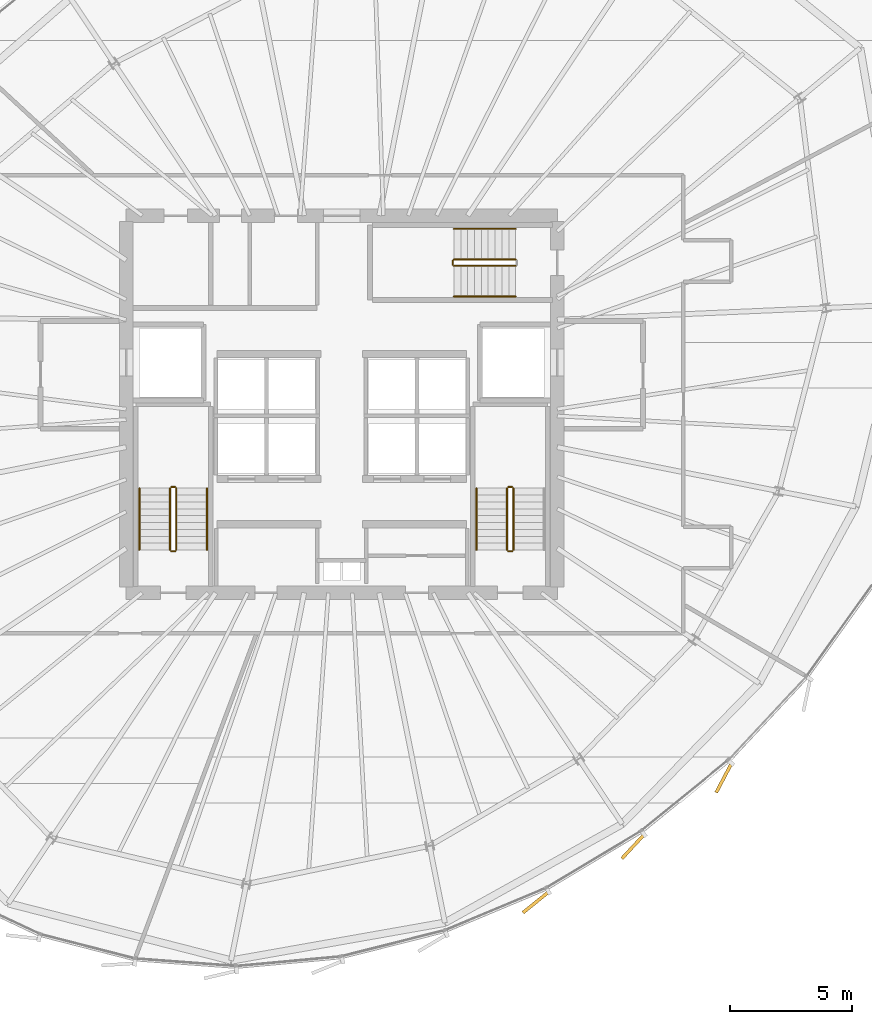
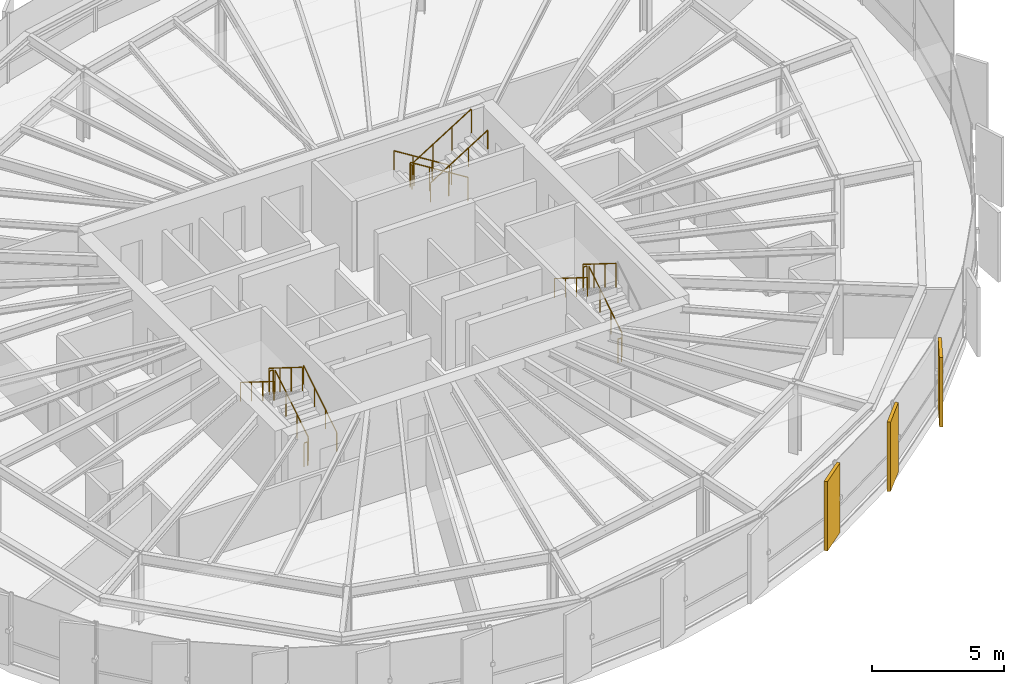
# One storey, part 34 of 36: 16 railings, 3 coverings.
"""IFC4 building model written with IfcOpenShell, lengths in metres."""

import ifcopenshell
import ifcopenshell.guid

model = None  # the IFC model being written
_history = None  # IfcOwnerHistory: only IFC2X3 demands one
_inside = {}  # id of a spatial element -> (the spatial element, [elements in it])
_under = {}  # id of a project, library or spatial element -> (it, [spatial elements below it])
_declared = {}  # id of a project -> (the project, [libraries it declares])
_typed = {}  # id of a type object -> (the type object, [elements of that type])
_made_of = {}  # id of a material, layer set ... -> (it, [elements and type objects made of it])


def new_model(schema):
    """Start an empty IFC model of exactly this schema.

    Asked for "IFC4X3", IfcOpenShell would pick the latest addendum, in which some entities
    have other attributes; the version numbers below select the first issue.
    IFC2X3 requires an IfcOwnerHistory on every rooted entity: one is made here for all.
    """
    global model, _history
    if schema == "IFC4X3":
        model = ifcopenshell.file(schema_version=(4, 3, 0, 0))
    else:
        model = ifcopenshell.file(schema=schema)
    _inside.clear()
    _under.clear()
    _declared.clear()
    _typed.clear()
    _made_of.clear()
    _history = None
    if model.schema == "IFC2X3":
        org = make("IfcOrganization", Name="unknown")
        user = make(
            "IfcPersonAndOrganization",
            ThePerson=make("IfcPerson", FamilyName="unknown"),
            TheOrganization=org,
        )
        app = make(
            "IfcApplication",
            ApplicationDeveloper=org,
            Version="unknown",
            ApplicationFullName="unknown",
            ApplicationIdentifier="unknown",
        )
        _history = make(
            "IfcOwnerHistory",
            OwningUser=user,
            OwningApplication=app,
            ChangeAction="ADDED",
            CreationDate=0,
        )
    return model


def make(cls, **values):
    """One entity of the class cls with the attributes given. An attribute that is None is left unset."""
    return model.create_entity(
        cls, **{name: value for name, value in values.items() if value is not None}
    )


def rooted(cls, **values):
    """An entity with a GlobalId (a new one), such as an element, a storey or a relation."""
    return make(cls, GlobalId=ifcopenshell.guid.new(), OwnerHistory=_history, **values)


def si_unit(unit_type, name, prefix=None):
    """IfcSIUnit, for example si_unit("LENGTHUNIT", "METRE", prefix="MILLI")."""
    return make("IfcSIUnit", UnitType=unit_type, Prefix=prefix, Name=name)


def assignment(units):
    """IfcUnitAssignment: the units of a project."""
    return None if units is None else make("IfcUnitAssignment", Units=units)


def point(xyz):
    """IfcCartesianPoint."""
    return None if xyz is None else make("IfcCartesianPoint", Coordinates=xyz)


def direction(xyz):
    """IfcDirection."""
    return None if xyz is None else make("IfcDirection", DirectionRatios=xyz)


def frame(location, z_axis=None, x_axis=None):
    """IfcAxis2Placement3D, a coordinate frame: its origin and axes. An axis left out is left unset."""
    return make(
        "IfcAxis2Placement3D",
        Location=point(location),
        Axis=direction(z_axis),
        RefDirection=direction(x_axis),
    )


def frame_2d(location, x_axis=None):
    """IfcAxis2Placement2D, a coordinate frame in the plane: its origin and x axis."""
    return make(
        "IfcAxis2Placement2D", Location=point(location), RefDirection=direction(x_axis)
    )


def origin():
    """The frame at (0, 0, 0) with its axes left unset."""
    return frame((0.0, 0.0, 0.0))


def origin_2d():
    """The frame at (0, 0) in the plane with its x axis left unset."""
    return frame_2d((0.0, 0.0))


def place(relative_to, where):
    """IfcLocalPlacement: puts the frame where relative to a parent placement (None: the world)."""
    return make(
        "IfcLocalPlacement", PlacementRelTo=relative_to, RelativePlacement=where
    )


def context(
    kind, dimensions, precision=None, world=None, true_north=None, identifier=None
):
    """IfcGeometricRepresentationContext, for example the 3D "Model" context."""
    return make(
        "IfcGeometricRepresentationContext",
        ContextIdentifier=identifier,
        ContextType=kind,
        CoordinateSpaceDimension=dimensions,
        Precision=precision,
        WorldCoordinateSystem=world,
        TrueNorth=true_north,
    )


def subcontext(parent, identifier, kind, view, scale=None):
    """IfcGeometricRepresentationSubContext, for example "Body" below "Model"."""
    return make(
        "IfcGeometricRepresentationSubContext",
        ContextIdentifier=identifier,
        ContextType=kind,
        ParentContext=parent,
        TargetScale=scale,
        TargetView=view,
    )


def project(units=None, contexts=None):
    """IfcProject with its units and contexts."""
    return rooted(
        "IfcProject",
        Name="project",
        RepresentationContexts=contexts,
        UnitsInContext=assignment(units),
    )


def spatial(cls, under=None, at=None, **own):
    """A site, building, storey or space (cls), placed at a placement, below another one or the project."""
    s = rooted(cls, ObjectPlacement=at, **own)
    if under is not None:
        _under.setdefault(under.id(), (under, []))[1].append(s)
    return s


def profile(cls, at=None, kind="AREA", **sizes):
    """A parametric profile (cls). Its sizes go by their IFC names, for example OverallWidth=200.0."""
    return make(cls, ProfileType=kind, Position=at, **sizes)


def rectangle(**sizes):
    """IfcRectangleProfileDef."""
    return profile("IfcRectangleProfileDef", **sizes)


def circle(**sizes):
    """IfcCircleProfileDef."""
    return profile("IfcCircleProfileDef", **sizes)


def extrude(swept, where, along, depth):
    """IfcExtrudedAreaSolid: the profile swept, set in the frame where, extruded along a direction by depth."""
    return make(
        "IfcExtrudedAreaSolid",
        SweptArea=swept,
        Position=where,
        ExtrudedDirection=direction(along),
        Depth=depth,
    )


def shape(context_of_items, identifier, shape_type, items):
    """IfcShapeRepresentation: the items that make up one representation, for example the "Body"."""
    return make(
        "IfcShapeRepresentation",
        ContextOfItems=context_of_items,
        RepresentationIdentifier=identifier,
        RepresentationType=shape_type,
        Items=items,
    )


def source(mapping_origin, context_of_items, identifier, shape_type, items):
    """IfcRepresentationMap: a shape defined once, which mapped items show again and again."""
    return make(
        "IfcRepresentationMap",
        MappingOrigin=mapping_origin,
        MappedRepresentation=shape(context_of_items, identifier, shape_type, items),
    )


def transform(
    local_origin,
    x_axis=None,
    y_axis=None,
    z_axis=None,
    scale=None,
    scale2=None,
    scale3=None,
    uniform=True,
):
    """IfcCartesianTransformationOperator3D, or its non-uniform kind. x_axis, y_axis, z_axis: its Axis1, 2, 3."""
    if uniform:
        return make(
            "IfcCartesianTransformationOperator3D",
            Axis1=direction(x_axis),
            Axis2=direction(y_axis),
            LocalOrigin=point(local_origin),
            Scale=scale,
            Axis3=direction(z_axis),
        )
    return make(
        "IfcCartesianTransformationOperator3DnonUniform",
        Axis1=direction(x_axis),
        Axis2=direction(y_axis),
        LocalOrigin=point(local_origin),
        Scale=scale,
        Axis3=direction(z_axis),
        Scale2=scale2,
        Scale3=scale3,
    )


def mapped(mapping_source, mapping_target):
    """IfcMappedItem: shows the shape of a source again, moved by a transform."""
    return make(
        "IfcMappedItem", MappingSource=mapping_source, MappingTarget=mapping_target
    )


def material(Name=None, Category=None):
    """IfcMaterial."""
    return make("IfcMaterial", Name=Name, Category=Category)


def layer(
    of_material, thickness, ventilated=None, Name=None, Category=None, Priority=None
):
    """IfcMaterialLayer: one layer of a wall or slab, of a material (None: an air gap)."""
    return make(
        "IfcMaterialLayer",
        Material=of_material,
        LayerThickness=thickness,
        IsVentilated=ventilated,
        Name=Name,
        Category=Category,
        Priority=Priority,
    )


def layer_set(layers, Name=None):
    """IfcMaterialLayerSet."""
    return make("IfcMaterialLayerSet", MaterialLayers=layers, LayerSetName=Name)


def made_of(thing, what):
    """Note that an element or type object is made of a material, layer set ...; save() writes the relation."""
    if what is not None:
        _made_of.setdefault(what.id(), (what, []))[1].append(thing)
    return thing


def type_object(cls, material=None, **own):
    """A type object (cls), such as IfcWallType, which elements share."""
    return made_of(rooted(cls, **own), material)


def element(
    cls,
    number,
    at=None,
    inside=None,
    cuts=None,
    type_object=None,
    material=None,
    context=None,
    identifier="Body",
    shape_type=None,
    held_by="IfcProductDefinitionShape",
    body=None,
    shapes=None,
    **own,
):
    """One element of the class cls, such as IfcWall. Its Tag is "e" and its number.

    at: its placement. inside: the storey or other place that contains it. cuts: it is an
    opening in that element (IfcRelVoidsElement). A single representation is given by context,
    identifier, shape_type and body (its items); several are given by shapes. held_by: the class
    of the entity that holds the representations. save() writes the other relations.
    """
    e = rooted(cls, Tag="e%d" % number, ObjectPlacement=at, **own)
    if body is not None:
        shapes = [shape(context, identifier, shape_type, body)]
    if shapes is not None:
        e.Representation = make(held_by, Representations=shapes)
    if inside is not None:
        _inside.setdefault(inside.id(), (inside, []))[1].append(e)
    if cuts is not None:
        rooted(
            "IfcRelVoidsElement", RelatingBuildingElement=cuts, RelatedOpeningElement=e
        )
    if type_object is not None:
        _typed.setdefault(type_object.id(), (type_object, []))[1].append(e)
    return made_of(e, material)


def aggregate(whole, parts):
    """IfcRelAggregates: a whole, such as a stair, and the parts it consists of."""
    return rooted("IfcRelAggregates", RelatingObject=whole, RelatedObjects=parts)


def save(model, path):
    """Write the relations noted so far, then the file.

    IfcRelAggregates (storeys below a building ...), IfcRelContainedInSpatialStructure (elements
    in a storey), IfcRelDefinesByType, IfcRelAssociatesMaterial and IfcRelDeclares: one each for
    every whole, place, type object, material and project.
    """
    for whole, parts in _under.values():
        aggregate(whole, parts)
    for where, things in _inside.values():
        rooted(
            "IfcRelContainedInSpatialStructure",
            RelatedElements=things,
            RelatingStructure=where,
        )
    for kind, things in _typed.values():
        rooted("IfcRelDefinesByType", RelatedObjects=things, RelatingType=kind)
    for what, things in _made_of.values():
        rooted("IfcRelAssociatesMaterial", RelatedObjects=things, RelatingMaterial=what)
    for by, libraries in _declared.values():
        rooted("IfcRelDeclares", RelatingContext=by, RelatedDefinitions=libraries)
    model.write(path)


model = new_model("IFC4")

# Units and contexts
model_context = context("Model", 3, precision=1e-05, world=origin(), true_north=direction((0.0, 1.0)))
body_context = subcontext(model_context, "Body", "Model", "MODEL_VIEW")
ifc_project = project(units=[si_unit("LENGTHUNIT", "METRE"), si_unit("AREAUNIT", "SQUARE_METRE"), si_unit("VOLUMEUNIT", "CUBIC_METRE"), si_unit("PLANEANGLEUNIT", "RADIAN"), si_unit("MASSUNIT", "GRAM", prefix="KILO"), si_unit("THERMODYNAMICTEMPERATUREUNIT", "KELVIN")], contexts=[model_context])

# Site, building, storey
site_placement = place(None, origin())
site = spatial("IfcSite", under=ifc_project, at=site_placement, CompositionType="ELEMENT")
building_placement = place(site_placement, origin())
building = spatial("IfcBuilding", under=site, at=building_placement, Name="Kethvar Cultural Tower", CompositionType="ELEMENT")
storey_placement = place(building_placement, frame((0.0, 0.0, 176.39990234375)))
storey = spatial("IfcBuildingStorey", under=building, at=storey_placement, Name="L45", CompositionType="ELEMENT", Elevation=176.39990234375)

# Railings
ifc_material_1 = material(Name="Steel S355J2", Category="steel")
railing_type_1 = type_object("IfcRailingType", Name="RL-STAIR-GUARD", PredefinedType="BALUSTRADE", material=ifc_material_1)
railing_1_placement = place(storey_placement, frame((40.050048828125, 21.85009765625, 0.175048828125)))
element("IfcRailing", 1, at=railing_1_placement, inside=storey, type_object=railing_type_1, Name="L45 ST-01 stair guard 1", PredefinedType="BALUSTRADE", context=body_context, shape_type="SweptSolid", body=[
    extrude(circle(Radius=0.02392578125, at=origin_2d()), frame((0.0, 0.0, 1.09619140625), z_axis=(0.0, 0.848007534815, 0.529984170421), x_axis=(-1.0, 0.0, 0.0)), (0.0, 0.0, 1.0), 2.9716796875),
    extrude(circle(Radius=0.02099609375, at=origin_2d()), origin(), (0.0, 0.0, 1.0), 1.072021484375),
    extrude(circle(Radius=0.02099609375, at=origin_2d()), frame((0.0, 0.840087890625, 0.52490234375)), (0.0, 0.0, 1.0), 1.072021484375),
    extrude(circle(Radius=0.02099609375, at=origin_2d()), frame((0.0, 1.679931640625, 1.050048828125)), (0.0, 0.0, 1.0), 1.072021484375),
    extrude(circle(Radius=0.02099609375, at=origin_2d()), frame((0.0, 2.52001953125, 1.574951171875)), (0.0, 0.0, 1.0), 1.072021484375),
])
railing_2_placement = place(storey_placement, frame((40.0, 24.419921875, 1.75)))
element("IfcRailing", 2, at=railing_2_placement, inside=storey, type_object=railing_type_1, Name="L45 ST-01 stair guard 2", PredefinedType="BALUSTRADE", context=body_context, shape_type="SweptSolid", body=[
    extrude(circle(Radius=0.02392578125, at=origin_2d()), frame((0.0, 0.0, 1.09619140625), z_axis=(-1.0, 0.0, 0.0), x_axis=(0.0, -1.0, 0.0)), (0.0, 0.0, 1.0), 0.159912109375),
    extrude(circle(Radius=0.02099609375, at=origin_2d()), origin(), (0.0, 0.0, 1.0), 1.072021484375),
    extrude(circle(Radius=0.02099609375, at=origin_2d()), frame((-0.159912109375, 0.0, 0.0)), (0.0, 0.0, 1.0), 1.072021484375),
])
railing_3_placement = place(storey_placement, frame((39.7900390625, 24.3701171875, 1.925048828125)))
element("IfcRailing", 3, at=railing_3_placement, inside=storey, type_object=railing_type_1, Name="L45 ST-01 stair guard 3", PredefinedType="BALUSTRADE", context=body_context, shape_type="SweptSolid", body=[
    extrude(circle(Radius=0.02392578125, at=origin_2d()), frame((0.0, 0.0, 1.09619140625), z_axis=(0.0, -0.848007534815, 0.529984170421), x_axis=(1.0, 0.0, 0.0)), (0.0, 0.0, 1.0), 2.9716796875),
    extrude(circle(Radius=0.02099609375, at=origin_2d()), origin(), (0.0, 0.0, 1.0), 1.072021484375),
    extrude(circle(Radius=0.02099609375, at=origin_2d()), frame((0.0, -0.840087890625, 0.52490234375)), (0.0, 0.0, 1.0), 1.072021484375),
    extrude(circle(Radius=0.02099609375, at=origin_2d()), frame((0.0, -1.679931640625, 1.050048828125)), (0.0, 0.0, 1.0), 1.072021484375),
    extrude(circle(Radius=0.02099609375, at=origin_2d()), frame((0.0, -2.52001953125, 1.574951171875)), (0.0, 0.0, 1.0), 1.072021484375),
])
railing_4_placement = place(storey_placement, frame((40.0, 21.800048828125, 0.0)))
element("IfcRailing", 4, at=railing_4_placement, inside=storey, type_object=railing_type_1, Name="L45 ST-01 stair guard 4", PredefinedType="BALUSTRADE", context=body_context, shape_type="SweptSolid", body=[
    extrude(circle(Radius=0.02392578125, at=origin_2d()), frame((0.0, 0.0, 1.09619140625), z_axis=(-1.0, 0.0, 0.0), x_axis=(0.0, -1.0, 0.0)), (0.0, 0.0, 1.0), 0.159912109375),
    extrude(circle(Radius=0.02099609375, at=origin_2d()), origin(), (0.0, 0.0, 1.0), 1.072021484375),
    extrude(circle(Radius=0.02099609375, at=origin_2d()), frame((-0.159912109375, 0.0, 0.0)), (0.0, 0.0, 1.0), 1.072021484375),
])
railing_5_placement = place(storey_placement, frame((53.81005859375, 21.85009765625, 0.175048828125)))
element("IfcRailing", 5, at=railing_5_placement, inside=storey, type_object=railing_type_1, Name="L45 ST-02 stair guard 1", PredefinedType="BALUSTRADE", context=body_context, shape_type="SweptSolid", body=[
    extrude(circle(Radius=0.02392578125, at=origin_2d()), frame((0.0, 0.0, 1.09619140625), z_axis=(0.0, 0.848007534815, 0.529984170421), x_axis=(-1.0, 0.0, 0.0)), (0.0, 0.0, 1.0), 2.9716796875),
    extrude(circle(Radius=0.02099609375, at=origin_2d()), origin(), (0.0, 0.0, 1.0), 1.072021484375),
    extrude(circle(Radius=0.02099609375, at=origin_2d()), frame((0.0, 0.840087890625, 0.52490234375)), (0.0, 0.0, 1.0), 1.072021484375),
    extrude(circle(Radius=0.02099609375, at=origin_2d()), frame((0.0, 1.679931640625, 1.050048828125)), (0.0, 0.0, 1.0), 1.072021484375),
    extrude(circle(Radius=0.02099609375, at=origin_2d()), frame((0.0, 2.52001953125, 1.574951171875)), (0.0, 0.0, 1.0), 1.072021484375),
])
railing_6_placement = place(storey_placement, frame((53.760009765625, 24.419921875, 1.75)))
element("IfcRailing", 6, at=railing_6_placement, inside=storey, type_object=railing_type_1, Name="L45 ST-02 stair guard 2", PredefinedType="BALUSTRADE", context=body_context, shape_type="SweptSolid", body=[
    extrude(circle(Radius=0.02392578125, at=origin_2d()), frame((0.0, 0.0, 1.09619140625), z_axis=(-1.0, 0.0, 0.0), x_axis=(0.0, -1.0, 0.0)), (0.0, 0.0, 1.0), 0.159912109375),
    extrude(circle(Radius=0.02099609375, at=origin_2d()), origin(), (0.0, 0.0, 1.0), 1.072021484375),
    extrude(circle(Radius=0.02099609375, at=origin_2d()), frame((-0.159912109375, 0.0, 0.0)), (0.0, 0.0, 1.0), 1.072021484375),
])
railing_7_placement = place(storey_placement, frame((53.550048828125, 24.3701171875, 1.925048828125)))
element("IfcRailing", 7, at=railing_7_placement, inside=storey, type_object=railing_type_1, Name="L45 ST-02 stair guard 3", PredefinedType="BALUSTRADE", context=body_context, shape_type="SweptSolid", body=[
    extrude(circle(Radius=0.02392578125, at=origin_2d()), frame((0.0, 0.0, 1.09619140625), z_axis=(0.0, -0.848007534815, 0.529984170421), x_axis=(1.0, 0.0, 0.0)), (0.0, 0.0, 1.0), 2.9716796875),
    extrude(circle(Radius=0.02099609375, at=origin_2d()), origin(), (0.0, 0.0, 1.0), 1.072021484375),
    extrude(circle(Radius=0.02099609375, at=origin_2d()), frame((0.0, -0.840087890625, 0.52490234375)), (0.0, 0.0, 1.0), 1.072021484375),
    extrude(circle(Radius=0.02099609375, at=origin_2d()), frame((0.0, -1.679931640625, 1.050048828125)), (0.0, 0.0, 1.0), 1.072021484375),
    extrude(circle(Radius=0.02099609375, at=origin_2d()), frame((0.0, -2.52001953125, 1.574951171875)), (0.0, 0.0, 1.0), 1.072021484375),
])
railing_8_placement = place(storey_placement, frame((53.760009765625, 21.800048828125, 0.0)))
element("IfcRailing", 8, at=railing_8_placement, inside=storey, type_object=railing_type_1, Name="L45 ST-02 stair guard 4", PredefinedType="BALUSTRADE", context=body_context, shape_type="SweptSolid", body=[
    extrude(circle(Radius=0.02392578125, at=origin_2d()), frame((0.0, 0.0, 1.09619140625), z_axis=(-1.0, 0.0, 0.0), x_axis=(0.0, -1.0, 0.0)), (0.0, 0.0, 1.0), 0.159912109375),
    extrude(circle(Radius=0.02099609375, at=origin_2d()), origin(), (0.0, 0.0, 1.0), 1.072021484375),
    extrude(circle(Radius=0.02099609375, at=origin_2d()), frame((-0.159912109375, 0.0, 0.0)), (0.0, 0.0, 1.0), 1.072021484375),
])
railing_9_placement = place(storey_placement, frame((53.89990234375, 33.7099609375, 0.175048828125)))
element("IfcRailing", 9, at=railing_9_placement, inside=storey, type_object=railing_type_1, Name="L45 ST-03 stair guard 1", PredefinedType="BALUSTRADE", context=body_context, shape_type="SweptSolid", body=[
    extrude(circle(Radius=0.02392578125, at=origin_2d()), frame((0.0, 0.0, 1.09619140625), z_axis=(-0.848007534815, 0.0, 0.529984170421), x_axis=(0.0, -1.0, 0.0)), (0.0, 0.0, 1.0), 2.9716796875),
    extrude(circle(Radius=0.02099609375, at=origin_2d()), origin(), (0.0, 0.0, 1.0), 1.072021484375),
    extrude(circle(Radius=0.02099609375, at=origin_2d()), frame((-0.840087890625, 0.0, 0.52490234375)), (0.0, 0.0, 1.0), 1.072021484375),
    extrude(circle(Radius=0.02099609375, at=origin_2d()), frame((-1.679931640625, 0.0, 1.050048828125)), (0.0, 0.0, 1.0), 1.072021484375),
    extrude(circle(Radius=0.02099609375, at=origin_2d()), frame((-2.52001953125, 0.0, 1.574951171875)), (0.0, 0.0, 1.0), 1.072021484375),
])
railing_10_placement = place(storey_placement, frame((51.330078125, 33.659912109375, 1.75)))
element("IfcRailing", 10, at=railing_10_placement, inside=storey, type_object=railing_type_1, Name="L45 ST-03 stair guard 2", PredefinedType="BALUSTRADE", context=body_context, shape_type="SweptSolid", body=[
    extrude(circle(Radius=0.02392578125, at=origin_2d()), frame((0.0, 0.0, 1.09619140625), z_axis=(0.0, -1.0, 0.0), x_axis=(1.0, 0.0, 0.0)), (0.0, 0.0, 1.0), 0.159912109375),
    extrude(circle(Radius=0.02099609375, at=origin_2d()), origin(), (0.0, 0.0, 1.0), 1.072021484375),
    extrude(circle(Radius=0.02099609375, at=origin_2d()), frame((0.0, -0.159912109375, 0.0)), (0.0, 0.0, 1.0), 1.072021484375),
])
railing_11_placement = place(storey_placement, frame((51.3798828125, 33.449951171875, 1.925048828125)))
element("IfcRailing", 11, at=railing_11_placement, inside=storey, type_object=railing_type_1, Name="L45 ST-03 stair guard 3", PredefinedType="BALUSTRADE", context=body_context, shape_type="SweptSolid", body=[
    extrude(circle(Radius=0.02392578125, at=origin_2d()), frame((0.0, 0.0, 1.09619140625), z_axis=(0.848007534815, 0.0, 0.529984170421), x_axis=(0.0, 1.0, 0.0)), (0.0, 0.0, 1.0), 2.9716796875),
    extrude(circle(Radius=0.02099609375, at=origin_2d()), origin(), (0.0, 0.0, 1.0), 1.072021484375),
    extrude(circle(Radius=0.02099609375, at=origin_2d()), frame((0.840087890625, 0.0, 0.52490234375)), (0.0, 0.0, 1.0), 1.072021484375),
    extrude(circle(Radius=0.02099609375, at=origin_2d()), frame((1.679931640625, 0.0, 1.050048828125)), (0.0, 0.0, 1.0), 1.072021484375),
    extrude(circle(Radius=0.02099609375, at=origin_2d()), frame((2.52001953125, 0.0, 1.574951171875)), (0.0, 0.0, 1.0), 1.072021484375),
])
railing_type_2 = type_object("IfcRailingType", Name="RL-STAIR-HANDRAIL", PredefinedType="HANDRAIL", material=ifc_material_1)
railing_12_placement = place(storey_placement, frame((41.300048828125, 21.85009765625, 0.175048828125)))
element("IfcRailing", 12, at=railing_12_placement, inside=storey, type_object=railing_type_2, Name="L45 ST-01 stair handrail 1", PredefinedType="HANDRAIL", context=body_context, shape_type="SweptSolid", body=[
    extrude(circle(Radius=0.02392578125, at=origin_2d()), frame((0.0, 0.0, 0.8759765625), z_axis=(0.0, 0.848007534815, 0.529984170421), x_axis=(-1.0, 0.0, 0.0)), (0.0, 0.0, 1.0), 2.9716796875),
    extrude(circle(Radius=0.02099609375, at=origin_2d()), origin(), (0.0, 0.0, 1.0), 0.851806640625),
    extrude(circle(Radius=0.02099609375, at=origin_2d()), frame((0.0, 0.840087890625, 0.52490234375)), (0.0, 0.0, 1.0), 0.851806640625),
    extrude(circle(Radius=0.02099609375, at=origin_2d()), frame((0.0, 1.679931640625, 1.050048828125)), (0.0, 0.0, 1.0), 0.851806640625),
    extrude(circle(Radius=0.02099609375, at=origin_2d()), frame((0.0, 2.52001953125, 1.574951171875)), (0.0, 0.0, 1.0), 0.851806640625),
])
for number, where, name in (
    (13, (38.5400390625, 24.3701171875, 1.925048828125), "L45 ST-01 stair handrail 2"),
    (14, (52.300048828125, 24.3701171875, 1.925048828125), "L45 ST-02 stair handrail 2"),
):
    element("IfcRailing", number, at=place(storey_placement, frame(where)), inside=storey, type_object=railing_type_2, Name=name, PredefinedType="HANDRAIL", context=body_context, shape_type="SweptSolid", body=[
        extrude(circle(Radius=0.02392578125, at=origin_2d()), frame((0.0, 0.0, 0.8759765625), z_axis=(0.0, -0.848007534815, 0.529984170421), x_axis=(1.0, 0.0, 0.0)), (0.0, 0.0, 1.0), 2.9716796875),
        extrude(circle(Radius=0.02099609375, at=origin_2d()), origin(), (0.0, 0.0, 1.0), 0.851806640625),
        extrude(circle(Radius=0.02099609375, at=origin_2d()), frame((0.0, -0.840087890625, 0.52490234375)), (0.0, 0.0, 1.0), 0.851806640625),
        extrude(circle(Radius=0.02099609375, at=origin_2d()), frame((0.0, -1.679931640625, 1.050048828125)), (0.0, 0.0, 1.0), 0.851806640625),
        extrude(circle(Radius=0.02099609375, at=origin_2d()), frame((0.0, -2.52001953125, 1.574951171875)), (0.0, 0.0, 1.0), 0.851806640625),
    ])
railing_13_placement = place(storey_placement, frame((53.89990234375, 34.9599609375, 0.175048828125)))
element("IfcRailing", 15, at=railing_13_placement, inside=storey, type_object=railing_type_2, Name="L45 ST-03 stair handrail 1", PredefinedType="HANDRAIL", context=body_context, shape_type="SweptSolid", body=[
    extrude(circle(Radius=0.02392578125, at=origin_2d()), frame((0.0, 0.0, 0.8759765625), z_axis=(-0.848007534815, 0.0, 0.529984170421), x_axis=(0.0, -1.0, 0.0)), (0.0, 0.0, 1.0), 2.9716796875),
    extrude(circle(Radius=0.02099609375, at=origin_2d()), origin(), (0.0, 0.0, 1.0), 0.851806640625),
    extrude(circle(Radius=0.02099609375, at=origin_2d()), frame((-0.840087890625, 0.0, 0.52490234375)), (0.0, 0.0, 1.0), 0.851806640625),
    extrude(circle(Radius=0.02099609375, at=origin_2d()), frame((-1.679931640625, 0.0, 1.050048828125)), (0.0, 0.0, 1.0), 0.851806640625),
    extrude(circle(Radius=0.02099609375, at=origin_2d()), frame((-2.52001953125, 0.0, 1.574951171875)), (0.0, 0.0, 1.0), 0.851806640625),
])
railing_14_placement = place(storey_placement, frame((51.3798828125, 32.199951171875, 1.925048828125)))
element("IfcRailing", 16, at=railing_14_placement, inside=storey, type_object=railing_type_2, Name="L45 ST-03 stair handrail 2", PredefinedType="HANDRAIL", context=body_context, shape_type="SweptSolid", body=[
    extrude(circle(Radius=0.02392578125, at=origin_2d()), frame((0.0, 0.0, 0.8759765625), z_axis=(0.848007534815, 0.0, 0.529984170421), x_axis=(0.0, 1.0, 0.0)), (0.0, 0.0, 1.0), 2.9716796875),
    extrude(circle(Radius=0.02099609375, at=origin_2d()), origin(), (0.0, 0.0, 1.0), 0.851806640625),
    extrude(circle(Radius=0.02099609375, at=origin_2d()), frame((0.840087890625, 0.0, 0.52490234375)), (0.0, 0.0, 1.0), 0.851806640625),
    extrude(circle(Radius=0.02099609375, at=origin_2d()), frame((1.679931640625, 0.0, 1.050048828125)), (0.0, 0.0, 1.0), 0.851806640625),
    extrude(circle(Radius=0.02099609375, at=origin_2d()), frame((2.52001953125, 0.0, 1.574951171875)), (0.0, 0.0, 1.0), 0.851806640625),
])

# Coverings
ifc_material_2 = material(Name="Extruded Architectural Terracotta", Category="masonry")
ifc_layer = layer(ifc_material_2, 0.135009765625, Name="Extruded Architectural Terracotta", Category="masonry")
ifc_layer_set = layer_set([ifc_layer], Name="Extruded Architectural Terracotta (135 mm)")
covering_type = type_object("IfcCoveringType", Name="Terracotta Facade Fin FIN-03", PredefinedType="CLADDING", material=ifc_layer_set)
shared_shape = source(origin(), body_context, "Body", "SweptSolid", [
    extrude(rectangle(XDim=1.35009765625, YDim=0.135009765625, at=origin_2d()), origin(), (0.0, 0.0, 1.0), 3.219970703125),
])
for number, where, z_axis, x_axis, name in (
    (17, (54.72314453125, 7.464599609375, 0.02001953125), (0.0, 0.0, 1.0), (-0.777145961457, -0.62932039105, 0.0), "L45 Vertical Terracotta Fin 5.3"),
    (18, (58.6923828125, 9.740478515625, 0.02001953125), (0.0, 0.0, 1.0), (-0.679953378722, -0.733255346223, 0.0), "L45 Vertical Terracotta Fin 5.4"),
    (19, (62.40234375, 12.543212890625, 0.02001953125), (0.0, 0.0, 1.0), (-0.466077834922, -0.884743720969, 0.0), "L45 Vertical Terracotta Fin 5.5"),
):
    element("IfcCovering", number, at=place(storey_placement, frame(where, z_axis=z_axis, x_axis=x_axis)), inside=storey, type_object=covering_type, Name=name, PredefinedType="CLADDING", context=body_context, shape_type="MappedRepresentation", body=[
        mapped(shared_shape, transform((0.0, 0.0, 0.0), scale=1.0)),
    ])

save(model, "model.ifc")
